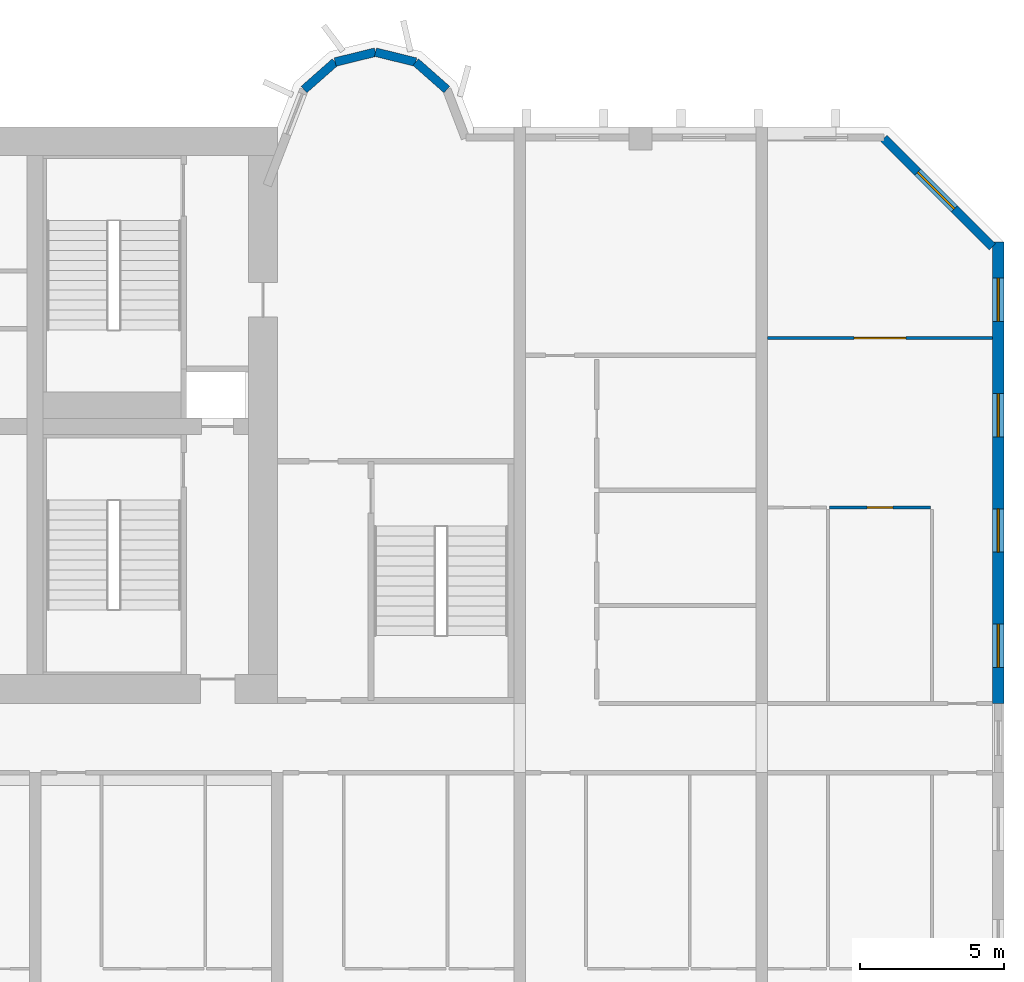
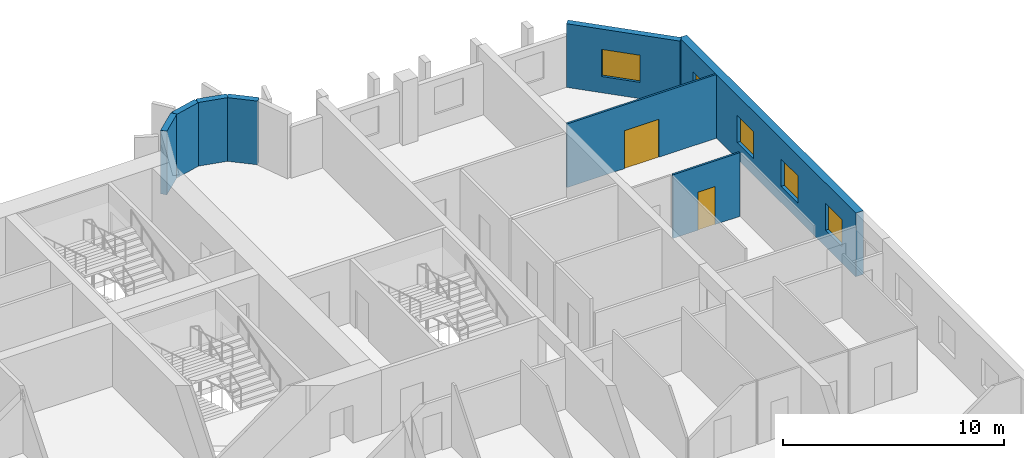
# One storey, part 11 of 15: 8 walls, 5 windows, 2 doors, 7 openings.
"""IFC4 building model written with IfcOpenShell, lengths in metres."""

from ifc_helpers import new_model, si_unit, direction, frame, frame_2d, origin, place, context, subcontext, project, spatial, rectangle, extrude, source, transform, mapped, material, layer, layer_set, type_object, element, fill, save


model = new_model("IFC4")

# Units and contexts
model_context = context("Model", 3, precision=1e-05, world=origin(), true_north=direction((0.0, 1.0)))
body_context = subcontext(model_context, "Body", "Model", "MODEL_VIEW")
ifc_project = project(units=[si_unit("LENGTHUNIT", "METRE"), si_unit("AREAUNIT", "SQUARE_METRE"), si_unit("VOLUMEUNIT", "CUBIC_METRE"), si_unit("PLANEANGLEUNIT", "RADIAN"), si_unit("MASSUNIT", "GRAM", prefix="KILO")], contexts=[model_context])

# Site, building, storey
site_placement = place(None, origin())
site = spatial("IfcSite", under=ifc_project, at=site_placement, CompositionType="ELEMENT")
building_placement = place(site_placement, origin())
building = spatial("IfcBuilding", under=site, at=building_placement, Name="Vanashikhar Sky Hotel", CompositionType="ELEMENT")
storey_placement = place(building_placement, frame((0.0, 0.0, 69.60009765625)))
storey = spatial("IfcBuildingStorey", under=building, at=storey_placement, Name="L16", CompositionType="ELEMENT", Elevation=69.60009765625)

# Wall, openings, windows
ifc_material_1 = material(Name="Concrete M80", Category="concrete")
ifc_layer_1 = layer(ifc_material_1, 0.39990234375)
ifc_layer_set_1 = layer_set([ifc_layer_1], Name="RC shear wall 400 Concrete M80")
wall_type_1 = type_object("IfcWallType", Name="RC shear wall 400 Concrete M80", PredefinedType="SHEAR", material=ifc_layer_set_1)
shared_shape_1 = source(origin(), body_context, "Body", "SweptSolid", [
    extrude(rectangle(XDim=16.0, YDim=0.39990234375, at=frame_2d((8.0, 0.0))), origin(), (0.0, 0.0, 1.0), 3.52001953125),
])
wall_1_placement = place(storey_placement, frame((100.60009765625, 22.0, 0.0), z_axis=(0.0, 0.0, 1.0), x_axis=(0.0, 1.0, 0.0)))
wall_1 = element("IfcWall", 1, at=wall_1_placement, inside=storey, type_object=wall_type_1, Name="CW-L16-XW13-2", PredefinedType="SHEAR", context=body_context, shape_type="MappedRepresentation", body=[
    mapped(shared_shape_1, transform((0.0, 0.0, 0.0), scale=1.0)),
])
shared_shape_2 = source(origin(), body_context, "Body", "SweptSolid", [
    extrude(rectangle(XDim=1.5, YDim=1.5, at=frame_2d((0.75, 0.75))), frame((0.0, 0.2099609375, 0.0), z_axis=(0.0, -1.0, 0.0), x_axis=(1.0, 0.0, 0.0)), (0.0, 0.0, 1.0), 0.419921875),
])
opening_1_placement = place(wall_1_placement, frame((1.25, 0.0, 0.89990234375)))
opening_1 = element("IfcOpeningElement", 2, at=opening_1_placement, cuts=wall_1, Name="Opening WN-1", PredefinedType="OPENING", context=body_context, shape_type="MappedRepresentation", body=[
    mapped(shared_shape_2, transform((0.0, 0.0, 0.0), scale=1.0)),
])
opening_2_placement = place(wall_1_placement, frame((5.25, 0.0, 0.89990234375)))
opening_2 = element("IfcOpeningElement", 3, at=opening_2_placement, cuts=wall_1, Name="Opening WN-1", PredefinedType="OPENING", context=body_context, shape_type="MappedRepresentation", body=[
    mapped(shared_shape_2, transform((0.0, 0.0, 0.0), scale=1.0)),
])
opening_3_placement = place(wall_1_placement, frame((9.25, 0.0, 0.89990234375)))
opening_3 = element("IfcOpeningElement", 4, at=opening_3_placement, cuts=wall_1, Name="Opening WN-1", PredefinedType="OPENING", context=body_context, shape_type="MappedRepresentation", body=[
    mapped(shared_shape_2, transform((0.0, 0.0, 0.0), scale=1.0)),
])
opening_4_placement = place(wall_1_placement, frame((13.25, 0.0, 0.89990234375)))
opening_4 = element("IfcOpeningElement", 5, at=opening_4_placement, cuts=wall_1, Name="Opening WN-1", PredefinedType="OPENING", context=body_context, shape_type="MappedRepresentation", body=[
    mapped(shared_shape_2, transform((0.0, 0.0, 0.0), scale=1.0)),
])
ifc_material_2 = material(Name="Glass", Category="glass")
window_type_1 = type_object("IfcWindowType", Name="Window 1500 x 1500", PartitioningType="SINGLE_PANEL", PredefinedType="WINDOW", material=ifc_material_2)
shared_shape_3 = source(origin(), body_context, "Body", "SweptSolid", [
    extrude(rectangle(XDim=1.5, YDim=1.5, at=frame_2d((0.75, 0.75))), frame((0.0, 0.030029296875, 0.0), z_axis=(0.0, -1.0, 0.0), x_axis=(1.0, 0.0, 0.0)), (0.0, 0.0, 1.0), 0.06005859375),
])
window_1_placement = place(opening_1_placement, origin())
window_1 = element("IfcWindow", 6, at=window_1_placement, inside=storey, type_object=window_type_1, Name="Window WN-1", OverallHeight=1.5, OverallWidth=1.5, PartitioningType="SINGLE_PANEL", PredefinedType="WINDOW", context=body_context, shape_type="MappedRepresentation", body=[
    mapped(shared_shape_3, transform((0.0, 0.0, 0.0), scale=1.0)),
])
fill(opening_1, window_1)
window_2_placement = place(opening_2_placement, origin())
window_2 = element("IfcWindow", 7, at=window_2_placement, inside=storey, type_object=window_type_1, Name="Window WN-1", OverallHeight=1.5, OverallWidth=1.5, PartitioningType="SINGLE_PANEL", PredefinedType="WINDOW", context=body_context, shape_type="MappedRepresentation", body=[
    mapped(shared_shape_3, transform((0.0, 0.0, 0.0), scale=1.0)),
])
fill(opening_2, window_2)
window_3_placement = place(opening_3_placement, origin())
window_3 = element("IfcWindow", 8, at=window_3_placement, inside=storey, type_object=window_type_1, Name="Window WN-1", OverallHeight=1.5, OverallWidth=1.5, PartitioningType="SINGLE_PANEL", PredefinedType="WINDOW", context=body_context, shape_type="MappedRepresentation", body=[
    mapped(shared_shape_3, transform((0.0, 0.0, 0.0), scale=1.0)),
])
fill(opening_3, window_3)
window_4_placement = place(opening_4_placement, origin())
window_4 = element("IfcWindow", 9, at=window_4_placement, inside=storey, type_object=window_type_1, Name="Window WN-1", OverallHeight=1.5, OverallWidth=1.5, PartitioningType="SINGLE_PANEL", PredefinedType="WINDOW", context=body_context, shape_type="MappedRepresentation", body=[
    mapped(shared_shape_3, transform((0.0, 0.0, 0.0), scale=1.0)),
])
fill(opening_4, window_4)

# Wall, opening, window
ifc_material_3 = material(Name="Concrete M50", Category="concrete")
ifc_layer_2 = layer(ifc_material_3, 0.300048828125)
ifc_layer_set_2 = layer_set([ifc_layer_2], Name="Lobe wall 300")
wall_type_2 = type_object("IfcWallType", Name="Lobe wall 300", PredefinedType="SOLIDWALL", material=ifc_layer_set_2)
shared_shape_4 = source(origin(), body_context, "Body", "SweptSolid", [
    extrude(rectangle(XDim=5.32568359375, YDim=0.300048828125, at=frame_2d((2.662841796875, 0.0))), origin(), (0.0, 0.0, 1.0), 3.52001953125),
])
wall_2_placement = place(storey_placement, frame((100.39990234375, 37.834228515625, 0.0), z_axis=(0.0, 0.0, 1.0), x_axis=(-0.707083859269, 0.707129702361, 0.0)))
wall_2 = element("IfcWall", 10, at=wall_2_placement, inside=storey, type_object=wall_type_2, Name="Corner wall", PredefinedType="SOLIDWALL", context=body_context, shape_type="MappedRepresentation", body=[
    mapped(shared_shape_4, transform((0.0, 0.0, 0.0), scale=1.0)),
])
shared_shape_5 = source(origin(), body_context, "Body", "SweptSolid", [
    extrude(rectangle(XDim=1.800048828125, YDim=1.5, at=frame_2d((0.89990234375, 0.75))), frame((0.0, 0.16015625, 0.0), z_axis=(0.0, -1.0, 0.0), x_axis=(1.0, 0.0, 0.0)), (0.0, 0.0, 1.0), 0.320068359375),
])
opening_5_placement = place(wall_2_placement, frame((1.871337890625, 0.0, 0.89990234375)))
opening_5 = element("IfcOpeningElement", 11, at=opening_5_placement, cuts=wall_2, Name="Opening WN-4", PredefinedType="OPENING", context=body_context, shape_type="MappedRepresentation", body=[
    mapped(shared_shape_5, transform((0.0, 0.0, 0.0), scale=1.0)),
])
window_type_2 = type_object("IfcWindowType", Name="Corner window 1800 x 1500", PartitioningType="SINGLE_PANEL", PredefinedType="WINDOW", material=ifc_material_2)
shared_shape_6 = source(origin(), body_context, "Body", "SweptSolid", [
    extrude(rectangle(XDim=1.800048828125, YDim=1.5, at=frame_2d((0.89990234375, 0.75))), frame((0.0, 0.030029296875, 0.0), z_axis=(0.0, -1.0, 0.0), x_axis=(1.0, 0.0, 0.0)), (0.0, 0.0, 1.0), 0.06005859375),
])
window_5_placement = place(opening_5_placement, origin())
window_5 = element("IfcWindow", 12, at=window_5_placement, inside=storey, type_object=window_type_2, Name="Window WN-4", OverallHeight=1.5, OverallWidth=1.800048828125, PartitioningType="SINGLE_PANEL", PredefinedType="WINDOW", context=body_context, shape_type="MappedRepresentation", body=[
    mapped(shared_shape_6, transform((0.0, 0.0, 0.0), scale=1.0)),
])
fill(opening_5, window_5)

# Walls
shared_shape_7 = source(origin(), body_context, "Body", "SweptSolid", [
    extrude(rectangle(XDim=1.438720703125, YDim=0.300048828125, at=frame_2d((0.71923828125, 0.0))), origin(), (0.0, 0.0, 1.0), 3.52001953125),
])
for number, where, z_axis, x_axis, name in (
    (13, (80.397216796875, 44.2451171875, 0.0), (0.0, 0.0, 1.0), (-0.971161932466, 0.238420848351, 0.0), "Lobe wall"),
    (14, (79.0, 44.588134765625, 0.0), (0.0, 0.0, 1.0), (-0.971161932466, -0.238420848351, 0.0), "Lobe wall"),
):
    element("IfcWall", number, at=place(storey_placement, frame(where, z_axis=z_axis, x_axis=x_axis)), inside=storey, type_object=wall_type_2, Name=name, PredefinedType="SOLIDWALL", context=body_context, shape_type="MappedRepresentation", body=[
        mapped(shared_shape_7, transform((0.0, 0.0, 0.0), scale=1.0)),
    ])
shared_shape_8 = source(origin(), body_context, "Body", "SweptSolid", [
    extrude(rectangle(XDim=1.43994140625, YDim=0.300048828125, at=frame_2d((0.719970703125, 0.0))), origin(), (0.0, 0.0, 1.0), 3.52001953125),
])
for number, where, z_axis, x_axis, name in (
    (15, (81.4765625, 43.2919921875, 0.0), (0.0, 0.0, 1.0), (-0.74957555648, 0.661918790432, 0.0), "Lobe wall"),
    (16, (77.602783203125, 44.2451171875, 0.0), (0.0, 0.0, 1.0), (-0.74957555648, -0.661918790432, 0.0), "Lobe wall"),
):
    element("IfcWall", number, at=place(storey_placement, frame(where, z_axis=z_axis, x_axis=x_axis)), inside=storey, type_object=wall_type_2, Name=name, PredefinedType="SOLIDWALL", context=body_context, shape_type="MappedRepresentation", body=[
        mapped(shared_shape_8, transform((0.0, 0.0, 0.0), scale=1.0)),
    ])

# Wall, opening, door
ifc_material_4 = material(Name="Gypsum plasterboard partition")
ifc_layer_3 = layer(ifc_material_4, 0.10009765625)
ifc_layer_set_3 = layer_set([ifc_layer_3], Name="Wet room partition 100")
wall_type_3 = type_object("IfcWallType", Name="Wet room partition 100", PredefinedType="PARTITIONING", material=ifc_layer_set_3)
shared_shape_9 = source(origin(), body_context, "Body", "SweptSolid", [
    extrude(rectangle(XDim=3.5, YDim=0.10009765625, at=frame_2d((1.75, 0.0))), origin(), (0.0, 0.0, 1.0), 3.52001953125),
])
wall_3_placement = place(storey_placement, frame((94.75, 28.800048828125, 0.0), z_axis=(0.0, 0.0, 1.0), x_axis=(1.0, 0.0, 0.0)))
wall_3 = element("IfcWall", 17, at=wall_3_placement, inside=storey, type_object=wall_type_3, Name="W-L16-PW092", PredefinedType="PARTITIONING", context=body_context, shape_type="MappedRepresentation", body=[
    mapped(shared_shape_9, transform((0.0, 0.0, 0.0), scale=1.0)),
])
shared_shape_10 = source(origin(), body_context, "Body", "SweptSolid", [
    extrude(rectangle(XDim=0.89990234375, YDim=2.10009765625, at=frame_2d((0.449951171875, 1.050048828125))), frame((0.0, 0.06005859375, 0.0), z_axis=(0.0, -1.0, 0.0), x_axis=(1.0, 0.0, 0.0)), (0.0, 0.0, 1.0), 0.1201171875),
])
opening_6_placement = place(wall_3_placement, frame((1.300048828125, 0.0, 0.0)))
opening_6 = element("IfcOpeningElement", 18, at=opening_6_placement, cuts=wall_3, Name="Opening D-02", PredefinedType="OPENING", context=body_context, shape_type="MappedRepresentation", body=[
    mapped(shared_shape_10, transform((0.0, 0.0, 0.0), scale=1.0)),
])
ifc_material_5 = material(Name="Timber door", Category="wood")
door_type_1 = type_object("IfcDoorType", Name="Internal door 900", OperationType="NOTDEFINED", PredefinedType="DOOR", material=ifc_material_5)
shared_shape_11 = source(origin(), body_context, "Body", "SweptSolid", [
    extrude(rectangle(XDim=0.89990234375, YDim=2.10009765625, at=frame_2d((0.449951171875, 1.050048828125))), frame((0.0, 0.02490234375, 0.0), z_axis=(0.0, -1.0, 0.0), x_axis=(1.0, 0.0, 0.0)), (0.0, 0.0, 1.0), 0.050048828125),
])
door_1_placement = place(opening_6_placement, origin())
door_1 = element("IfcDoor", 19, at=door_1_placement, inside=storey, type_object=door_type_1, Name="D-L16-055", OperationType="SINGLE_SWING_RIGHT", OverallHeight=2.10009765625, OverallWidth=0.89990234375, PredefinedType="DOOR", context=body_context, shape_type="MappedRepresentation", body=[
    mapped(shared_shape_11, transform((0.0, 0.0, 0.0), scale=1.0)),
])
fill(opening_6, door_1)

shared_shape_12 = source(origin(), body_context, "Body", "SweptSolid", [
    extrude(rectangle(XDim=7.7998046875, YDim=0.10009765625, at=frame_2d((3.89990234375, 0.0))), origin(), (0.0, 0.0, 1.0), 3.52001953125),
])
wall_4_placement = place(storey_placement, frame((92.60009765625, 34.672119140625, 0.0), z_axis=(0.0, 0.0, 1.0), x_axis=(1.0, 0.0, 0.0)))
wall_4 = element("IfcWall", 20, at=wall_4_placement, inside=storey, type_object=wall_type_3, Name="W-L16-PW094", PredefinedType="PARTITIONING", context=body_context, shape_type="MappedRepresentation", body=[
    mapped(shared_shape_12, transform((0.0, 0.0, 0.0), scale=1.0)),
])
shared_shape_13 = source(origin(), body_context, "Body", "SweptSolid", [
    extrude(rectangle(XDim=1.800048828125, YDim=2.10009765625, at=frame_2d((0.89990234375, 1.050048828125))), frame((0.0, 0.06005859375, 0.0), z_axis=(0.0, -1.0, 0.0), x_axis=(1.0, 0.0, 0.0)), (0.0, 0.0, 1.0), 0.1201171875),
])
opening_7_placement = place(wall_4_placement, frame((3.0, 0.0, 0.0)))
opening_7 = element("IfcOpeningElement", 21, at=opening_7_placement, cuts=wall_4, Name="Opening D-08", PredefinedType="OPENING", context=body_context, shape_type="MappedRepresentation", body=[
    mapped(shared_shape_13, transform((0.0, 0.0, 0.0), scale=1.0)),
])
door_type_2 = type_object("IfcDoorType", Name="Double leaf door 1800", OperationType="NOTDEFINED", PredefinedType="DOOR", material=ifc_material_5)
shared_shape_14 = source(origin(), body_context, "Body", "SweptSolid", [
    extrude(rectangle(XDim=1.800048828125, YDim=2.10009765625, at=frame_2d((0.89990234375, 1.050048828125))), frame((0.0, 0.02490234375, 0.0), z_axis=(0.0, -1.0, 0.0), x_axis=(1.0, 0.0, 0.0)), (0.0, 0.0, 1.0), 0.050048828125),
])
door_2_placement = place(opening_7_placement, origin())
door_2 = element("IfcDoor", 22, at=door_2_placement, inside=storey, type_object=door_type_2, Name="D-L16-057", OperationType="DOUBLE_DOOR_SINGLE_SWING", OverallHeight=2.10009765625, OverallWidth=1.800048828125, PredefinedType="DOOR", context=body_context, shape_type="MappedRepresentation", body=[
    mapped(shared_shape_14, transform((0.0, 0.0, 0.0), scale=1.0)),
])
fill(opening_7, door_2)

save(model, "model.ifc")
